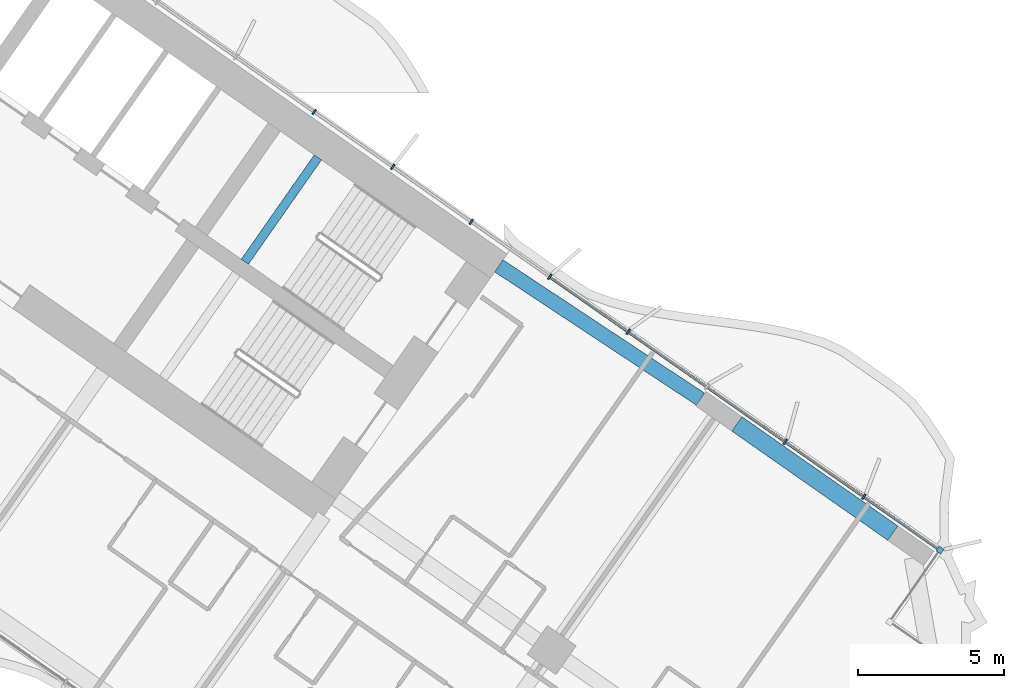
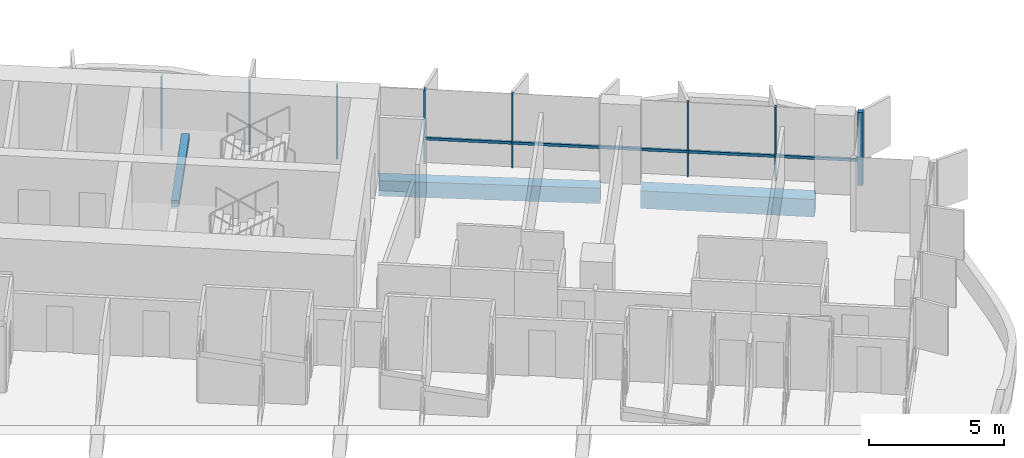
# One storey, part 10 of 25: 9 members, 3 beams, 2 elements without a shape of their own.
"""IFC4 building model written with IfcOpenShell, lengths in metres."""

from ifc_helpers import new_model, si_unit, direction, frame, origin, origin_2d, place, context, subcontext, project, spatial, rectangle, extrude, material, material_profile, profile_set, type_object, element, aggregate, save


model = new_model("IFC4")

# Units and contexts
model_context = context("Model", 3, precision=1e-05, world=origin(), true_north=direction((0.0, 1.0)))
body_context = subcontext(model_context, "Body", "Model", "MODEL_VIEW")
ifc_project = project(units=[si_unit("LENGTHUNIT", "METRE"), si_unit("AREAUNIT", "SQUARE_METRE"), si_unit("VOLUMEUNIT", "CUBIC_METRE"), si_unit("PLANEANGLEUNIT", "RADIAN"), si_unit("MASSUNIT", "GRAM", prefix="KILO")], contexts=[model_context])

# Site, building, storey
site_placement = place(None, origin())
site = spatial("IfcSite", under=ifc_project, at=site_placement, CompositionType="ELEMENT")
building_placement = place(site_placement, origin())
building = spatial("IfcBuilding", under=site, at=building_placement, Name="Tel Ilan Convention Tower", CompositionType="ELEMENT")
storey_placement = place(building_placement, frame((0.0, 0.0, 54.5)))
storey = spatial("IfcBuildingStorey", under=building, at=storey_placement, Name="L08", CompositionType="ELEMENT", Elevation=54.5)

# Beams
ifc_material_1 = material(Name="Concrete C40/50", Category="concrete")
ifc_material_profile_1 = material_profile(ifc_material_1, rectangle(XDim=0.5, YDim=0.699951171875, at=origin_2d()), Name="RC 500x700")
ifc_profile_set_1 = profile_set([ifc_material_profile_1], Name="Concrete C40/50")
beam_type_1 = type_object("IfcBeamType", Name="Beam RC 500x700 Concrete C40/50", PredefinedType="BEAM", material=ifc_profile_set_1)
beam_1_placement = place(storey_placement, frame((34.570556640625, -12.08447265625, -0.6298828125), z_axis=(-0.834273603487, 0.551350663847, 0.0), x_axis=(-0.551350663847, -0.834273603487, 0.0)))
element("IfcBeam", 1, at=beam_1_placement, inside=storey, type_object=beam_type_1, Name="L08 beam E-E-B4-core", PredefinedType="BEAM", context=body_context, shape_type="SweptSolid", body=[
    extrude(rectangle(XDim=0.5, YDim=0.699951171875, at=origin_2d()), origin(), (0.0, 0.0, 1.0), 8.2529296875),
])
ifc_material_2 = material(Name="Concrete C40/50", Category="concrete")
ifc_material_profile_2 = material_profile(ifc_material_2, rectangle(XDim=0.60009765625, YDim=0.800048828125, at=origin_2d()), Name="RC 600x800")
ifc_profile_set_2 = profile_set([ifc_material_profile_2], Name="Concrete C40/50")
beam_type_2 = type_object("IfcBeamType", Name="Beam RC 600x800 Concrete C40/50", PredefinedType="BEAM", material=ifc_profile_set_2)
beam_2_placement = place(storey_placement, frame((41.135498046875, -16.656494140625, -0.679931640625), z_axis=(-0.819178980414, 0.573537965655, 0.0), x_axis=(-0.573537965655, -0.819178980414, 0.0)))
element("IfcBeam", 2, at=beam_2_placement, inside=storey, type_object=beam_type_2, Name="L08 beam E-E-BC-E-B4", PredefinedType="BEAM", context=body_context, shape_type="SweptSolid", body=[
    extrude(rectangle(XDim=0.60009765625, YDim=0.800048828125, at=origin_2d()), origin(), (0.0, 0.0, 1.0), 6.5),
])

# Curtain wall, member
ifc_material_3 = material(Name="Aluminium, bronze anodised", Category="aluminium")
curtain_wall_type_1 = type_object("IfcCurtainWallType", Name="CW1 UNITISED CURTAIN WALL, HOTEL TINTED GLASS", PredefinedType="NOTDEFINED", material=ifc_material_3)
curtain_wall_1_placement = place(storey_placement, origin())
curtain_wall_1 = element("IfcCurtainWall", 3, at=curtain_wall_1_placement, inside=storey, type_object=curtain_wall_type_1, Name="Curtain wall CW1-11.02", PredefinedType="NOTDEFINED")
ifc_material_4 = material(Name="Aluminium, bronze anodised", Category="aluminium")
ifc_material_profile_3 = material_profile(ifc_material_4, rectangle(XDim=0.199951171875, YDim=0.199951171875, at=origin_2d()), Name="CW CORNER MULLION 200x200")
ifc_profile_set_3 = profile_set([ifc_material_profile_3], Name="Aluminium, bronze anodised")
member_type_1 = type_object("IfcMemberType", Name="CW CORNER MULLION 200x200", PredefinedType="MULLION", material=ifc_profile_set_3)
member_1_placement = place(storey_placement, frame((42.7451171875, -17.234375, 0.0), z_axis=(0.0, 0.0, 1.0), x_axis=(0.573576436351, 0.819152044289, 0.0)))
member_1 = element("IfcMember", 4, at=member_1_placement, type_object=member_type_1, Name="Corner mullion", PredefinedType="MULLION", context=body_context, shape_type="SweptSolid", body=[
    extrude(rectangle(XDim=0.199951171875, YDim=0.199951171875, at=origin_2d()), origin(), (0.0, 0.0, 1.0), 3.320068359375),
])

# Curtain wall, members
ifc_material_5 = material(Name="Aluminium, bronze anodised", Category="aluminium")
curtain_wall_type_2 = type_object("IfcCurtainWallType", Name="CW2 STICK CURTAIN WALL, SPANDREL PANELS", PredefinedType="NOTDEFINED", material=ifc_material_5)
curtain_wall_2_placement = place(storey_placement, origin())
curtain_wall_2 = element("IfcCurtainWall", 5, at=curtain_wall_2_placement, inside=storey, type_object=curtain_wall_type_2, Name="Curtain wall CW2-11.01", PredefinedType="NOTDEFINED")
ifc_material_6 = material(Name="Aluminium, bronze anodised", Category="aluminium")
ifc_material_profile_4 = material_profile(ifc_material_6, rectangle(XDim=0.06005859375, YDim=0.199951171875, at=origin_2d()), Name="CW MULLION 60x200")
ifc_profile_set_4 = profile_set([ifc_material_profile_4], Name="Aluminium, bronze anodised")
member_type_2 = type_object("IfcMemberType", Name="CW MULLION 60x200", PredefinedType="MULLION", material=ifc_profile_set_4)
member_2_placement = place(storey_placement, frame((29.42578125, -7.907958984375, 0.0), z_axis=(0.0, 0.0, 1.0), x_axis=(-0.819152044289, 0.573576436351, 0.0)))
member_2 = element("IfcMember", 6, at=member_2_placement, type_object=member_type_2, Name="Mullion", PredefinedType="MULLION", context=body_context, shape_type="SweptSolid", body=[
    extrude(rectangle(XDim=0.06005859375, YDim=0.199951171875, at=origin_2d()), origin(), (0.0, 0.0, 1.0), 3.320068359375),
])
member_3_placement = place(storey_placement, frame((26.745361328125, -6.03125, 0.0), z_axis=(0.0, 0.0, 1.0), x_axis=(-0.819152044289, 0.573576436351, 0.0)))
member_3 = element("IfcMember", 7, at=member_3_placement, type_object=member_type_2, Name="Mullion", PredefinedType="MULLION", context=body_context, shape_type="SweptSolid", body=[
    extrude(rectangle(XDim=0.06005859375, YDim=0.199951171875, at=origin_2d()), origin(), (0.0, 0.0, 1.0), 3.320068359375),
])
member_4_placement = place(storey_placement, frame((24.065185546875, -4.154541015625, 0.0), z_axis=(0.0, 0.0, 1.0), x_axis=(-0.819152044289, 0.573576436351, 0.0)))
member_4 = element("IfcMember", 8, at=member_4_placement, type_object=member_type_2, Name="Mullion", PredefinedType="MULLION", context=body_context, shape_type="SweptSolid", body=[
    extrude(rectangle(XDim=0.06005859375, YDim=0.199951171875, at=origin_2d()), origin(), (0.0, 0.0, 1.0), 3.320068359375),
])
member_5_placement = place(storey_placement, frame((21.384765625, -2.27783203125, 0.0), z_axis=(0.0, 0.0, 1.0), x_axis=(-0.819152044289, 0.573576436351, 0.0)))
member_5 = element("IfcMember", 9, at=member_5_placement, type_object=member_type_2, Name="Mullion", PredefinedType="MULLION", context=body_context, shape_type="SweptSolid", body=[
    extrude(rectangle(XDim=0.06005859375, YDim=0.199951171875, at=origin_2d()), origin(), (0.0, 0.0, 1.0), 3.320068359375),
])
aggregate(curtain_wall_2, [member_2, member_3, member_4, member_5])

# Member
member_6_placement = place(storey_placement, frame((40.146728515625, -15.4150390625, 0.0), z_axis=(0.0, 0.0, 1.0), x_axis=(-0.819152044289, 0.573576436351, 0.0)))
member_6 = element("IfcMember", 10, at=member_6_placement, type_object=member_type_2, Name="Mullion", PredefinedType="MULLION", context=body_context, shape_type="SweptSolid", body=[
    extrude(rectangle(XDim=0.06005859375, YDim=0.199951171875, at=origin_2d()), origin(), (0.0, 0.0, 1.0), 3.320068359375),
])

member_7_placement = place(storey_placement, frame((37.466552734375, -13.538330078125, 0.0), z_axis=(0.0, 0.0, 1.0), x_axis=(-0.819152044289, 0.573576436351, 0.0)))
member_7 = element("IfcMember", 11, at=member_7_placement, type_object=member_type_2, Name="Mullion", PredefinedType="MULLION", context=body_context, shape_type="SweptSolid", body=[
    extrude(rectangle(XDim=0.06005859375, YDim=0.199951171875, at=origin_2d()), origin(), (0.0, 0.0, 1.0), 3.320068359375),
])

member_8_placement = place(storey_placement, frame((32.10595703125, -9.78466796875, 0.0), z_axis=(0.0, 0.0, 1.0), x_axis=(-0.819152044289, 0.573576436351, 0.0)))
member_8 = element("IfcMember", 12, at=member_8_placement, type_object=member_type_2, Name="Mullion", PredefinedType="MULLION", context=body_context, shape_type="SweptSolid", body=[
    extrude(rectangle(XDim=0.06005859375, YDim=0.199951171875, at=origin_2d()), origin(), (0.0, 0.0, 1.0), 3.320068359375),
])

ifc_material_7 = material(Name="Aluminium, bronze anodised", Category="aluminium")
ifc_material_profile_5 = material_profile(ifc_material_7, rectangle(XDim=0.10009765625, YDim=0.1201171875, at=origin_2d()), Name="CW TRANSOM 100x120")
ifc_profile_set_5 = profile_set([ifc_material_profile_5], Name="Aluminium, bronze anodised")
member_type_3 = type_object("IfcMemberType", Name="CW TRANSOM 100x120", PredefinedType="USERDEFINED", material=ifc_profile_set_5)
member_9_placement = place(storey_placement, frame((42.6630859375, -17.177001953125, 1.10009765625), z_axis=(-0.819153693934, 0.573574080407, 0.0), x_axis=(-0.573574080407, -0.819153693934, 0.0)))
member_9 = element("IfcMember", 13, at=member_9_placement, type_object=member_type_3, Name="Transom", ObjectType="TRANSOM", PredefinedType="USERDEFINED", context=body_context, shape_type="SweptSolid", body=[
    extrude(rectangle(XDim=0.10009765625, YDim=0.1201171875, at=origin_2d()), origin(), (0.0, 0.0, 1.0), 16.1298828125),
])

aggregate(curtain_wall_1, [member_1, member_6, member_7, member_8, member_9])

# Beam
ifc_material_8 = material(Name="Concrete C40/50", Category="concrete")
ifc_material_profile_6 = material_profile(ifc_material_8, rectangle(XDim=0.300048828125, YDim=0.300048828125, at=origin_2d()), Name="RC 300x300")
ifc_profile_set_6 = profile_set([ifc_material_profile_6], Name="Concrete C40/50")
beam_type_3 = type_object("IfcBeamType", Name="Landing Beam RC 300x300 Concrete C40/50", PredefinedType="BEAM", material=ifc_profile_set_6)
beam_3_placement = place(storey_placement, frame((21.5087890625, -3.829345703125, 1.449951171875), z_axis=(-0.57356780395, -0.819158088694, 0.0), x_axis=(0.819158088694, -0.57356780395, 0.0)))
element("IfcBeam", 14, at=beam_3_placement, inside=storey, type_object=beam_type_3, Name="S3 landing beam L08.1", PredefinedType="BEAM", context=body_context, shape_type="SweptSolid", body=[
    extrude(rectangle(XDim=0.300048828125, YDim=0.300048828125, at=origin_2d()), origin(), (0.0, 0.0, 1.0), 4.35009765625),
])

save(model, "model.ifc")
